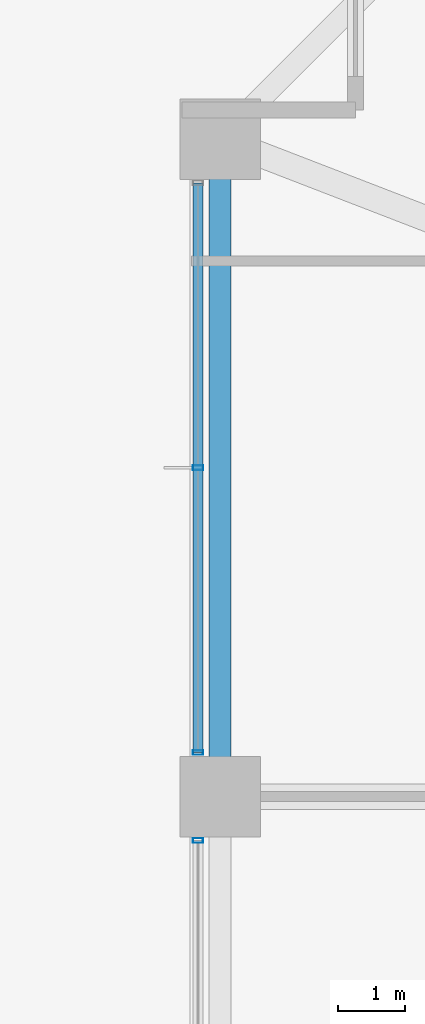
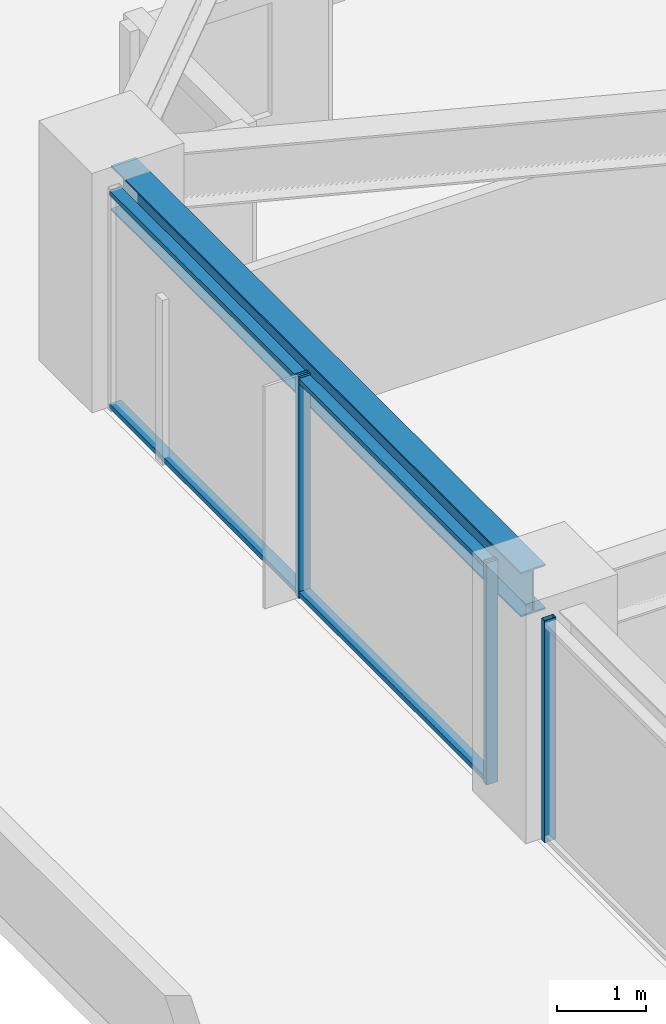
# One storey, part 16 of 36: 5 members, 1 beam, 2 elements without a shape of their own.
"""IFC4 building model written with IfcOpenShell, lengths in metres."""

from ifc_helpers import new_model, si_unit, direction, frame, origin, origin_2d, place, context, subcontext, project, spatial, hollow_rectangle, i_section, extrude, material, material_profile, profile_set, type_object, element, aggregate, save


model = new_model("IFC4")

# Units and contexts
model_context = context("Model", 3, precision=1e-05, world=origin(), true_north=direction((0.0, 1.0)))
body_context = subcontext(model_context, "Body", "Model", "MODEL_VIEW")
ifc_project = project(units=[si_unit("LENGTHUNIT", "METRE"), si_unit("AREAUNIT", "SQUARE_METRE"), si_unit("VOLUMEUNIT", "CUBIC_METRE"), si_unit("PLANEANGLEUNIT", "RADIAN"), si_unit("MASSUNIT", "GRAM", prefix="KILO")], contexts=[model_context])

# Site, building, storey
site_placement = place(None, origin())
site = spatial("IfcSite", under=ifc_project, at=site_placement, CompositionType="ELEMENT")
building_placement = place(site_placement, origin())
building = spatial("IfcBuilding", under=site, at=building_placement, Name="Kolvaren Belvedere", CompositionType="ELEMENT")
storey_placement = place(building_placement, frame((0.0, 0.0, 23.800048828125)))
storey = spatial("IfcBuildingStorey", under=building, at=storey_placement, Name="L06", CompositionType="ELEMENT", Elevation=23.800048828125)

# Beam
ifc_material_1 = material(Name="Structural steel ASTM A992 Grade 50", Category="steel")
ifc_material_profile_1 = material_profile(ifc_material_1, i_section(OverallWidth=0.324951171875, OverallDepth=0.615966796875, WebThickness=0.013916015625, FlangeThickness=0.021484375, FilletRadius=0.02001953125, at=origin_2d()), Name="W24X117")
ifc_profile_set_1 = profile_set([ifc_material_profile_1], Name="Structural steel ASTM A992 Grade 50")
beam_type = type_object("IfcBeamType", Name="BM-SPAN-W24X117", PredefinedType="SPANDREL", material=ifc_profile_set_1)
beam_placement = place(storey_placement, frame((-21.550048828125, 14.1298828125, 2.751953125), z_axis=(0.0, -1.0, 0.0), x_axis=(1.0, 0.0, 0.0)))
element("IfcBeam", 1, at=beam_placement, inside=storey, type_object=beam_type, Name="L06 Perimeter Spandrel W4-W3", PredefinedType="SPANDREL", context=body_context, shape_type="SweptSolid", body=[
    extrude(i_section(OverallWidth=0.324951171875, OverallDepth=0.615966796875, WebThickness=0.013916015625, FlangeThickness=0.021484375, FilletRadius=0.02001953125, at=origin_2d()), origin(), (0.0, 0.0, 1.0), 9.259765625),
])

# Curtain wall, member
ifc_material_2 = material(Name="Anodised pale-metal aluminium AA 6063-T6", Category="aluminium")
curtain_wall_type = type_object("IfcCurtainWallType", Name="CW-Z1-LOW", PredefinedType="NOTDEFINED", material=ifc_material_2)
curtain_wall_1_placement = place(storey_placement, origin())
curtain_wall_1 = element("IfcCurtainWall", 2, at=curtain_wall_1_placement, inside=storey, type_object=curtain_wall_type, Name="L06 Unitised Curtain Wall FCW-L06-W-B2", PredefinedType="NOTDEFINED")
ifc_material_3 = material(Name="Anodised pale-metal aluminium AA 6063-T6", Category="aluminium")
ifc_material_profile_2 = material_profile(ifc_material_3, hollow_rectangle(XDim=0.070068359375, YDim=0.14990234375, WallThickness=0.004150390625, at=origin_2d()), Name="ALU-MUL-150X70")
ifc_profile_set_2 = profile_set([ifc_material_profile_2], Name="Anodised pale-metal aluminium AA 6063-T6")
member_type_1 = type_object("IfcMemberType", Name="CW-MUL-150", PredefinedType="MULLION", material=ifc_profile_set_2)
member_1_placement = place(storey_placement, frame((-21.8798828125, 3.945068359375, 0.0), z_axis=(0.0, 0.0, 1.0), x_axis=(0.0, 1.0, 0.0)))
member_1 = element("IfcMember", 3, at=member_1_placement, type_object=member_type_1, Name="FCW-L06-W-B2 Unitised Mullion 3", PredefinedType="MULLION", context=body_context, shape_type="SweptSolid", body=[
    extrude(hollow_rectangle(XDim=0.070068359375, YDim=0.14990234375, WallThickness=0.004150390625, at=origin_2d()), origin(), (0.0, 0.0, 1.0), 3.06005859375),
])
aggregate(curtain_wall_1, [member_1])

# Curtain wall, members
curtain_wall_2_placement = place(storey_placement, origin())
curtain_wall_2 = element("IfcCurtainWall", 4, at=curtain_wall_2_placement, inside=storey, type_object=curtain_wall_type, Name="L06 Unitised Curtain Wall FCW-L06-W-B3", PredefinedType="NOTDEFINED")
member_2_placement = place(storey_placement, frame((-21.8798828125, 5.2548828125, 0.0), z_axis=(0.0, 0.0, 1.0), x_axis=(0.0, 1.0, 0.0)))
member_2 = element("IfcMember", 5, at=member_2_placement, type_object=member_type_1, Name="FCW-L06-W-B3 Unitised Mullion 1", PredefinedType="MULLION", context=body_context, shape_type="SweptSolid", body=[
    extrude(hollow_rectangle(XDim=0.070068359375, YDim=0.14990234375, WallThickness=0.004150390625, at=origin_2d()), origin(), (0.0, 0.0, 1.0), 3.06005859375),
])
member_3_placement = place(storey_placement, frame((-21.8798828125, 9.5, 0.0), z_axis=(0.0, 0.0, 1.0), x_axis=(0.0, 1.0, 0.0)))
member_3 = element("IfcMember", 6, at=member_3_placement, type_object=member_type_1, Name="FCW-L06-W-B3 Unitised Mullion 2", PredefinedType="MULLION", context=body_context, shape_type="SweptSolid", body=[
    extrude(hollow_rectangle(XDim=0.070068359375, YDim=0.14990234375, WallThickness=0.004150390625, at=origin_2d()), origin(), (0.0, 0.0, 1.0), 3.06005859375),
])
ifc_material_4 = material(Name="Anodised pale-metal aluminium AA 6063-T6", Category="aluminium")
ifc_material_profile_3 = material_profile(ifc_material_4, hollow_rectangle(XDim=0.06494140625, YDim=0.14990234375, WallThickness=0.00390625, at=origin_2d()), Name="ALU-TRN-150X65")
ifc_profile_set_3 = profile_set([ifc_material_profile_3], Name="Anodised pale-metal aluminium AA 6063-T6")
member_type_2 = type_object("IfcMemberType", Name="CW-TRN-150", PredefinedType="USERDEFINED", material=ifc_profile_set_3)
member_4_placement = place(storey_placement, frame((-21.8798828125, 5.2548828125, 0.06005859375), z_axis=(0.0, 1.0, 0.0), x_axis=(0.0, 0.0, 1.0)))
member_4 = element("IfcMember", 7, at=member_4_placement, type_object=member_type_2, Name="FCW-L06-W-B3 Sill Transom", ObjectType="TRANSOM", PredefinedType="USERDEFINED", context=body_context, shape_type="SweptSolid", body=[
    extrude(hollow_rectangle(XDim=0.06494140625, YDim=0.14990234375, WallThickness=0.00390625, at=origin_2d()), origin(), (0.0, 0.0, 1.0), 8.490234375),
])
member_5_placement = place(storey_placement, frame((-21.8798828125, 5.2548828125, 3.0), z_axis=(0.0, 1.0, 0.0), x_axis=(0.0, 0.0, 1.0)))
member_5 = element("IfcMember", 8, at=member_5_placement, type_object=member_type_2, Name="FCW-L06-W-B3 Head Transom", ObjectType="TRANSOM", PredefinedType="USERDEFINED", context=body_context, shape_type="SweptSolid", body=[
    extrude(hollow_rectangle(XDim=0.06494140625, YDim=0.14990234375, WallThickness=0.00390625, at=origin_2d()), origin(), (0.0, 0.0, 1.0), 8.490234375),
])
aggregate(curtain_wall_2, [member_2, member_3, member_4, member_5])

save(model, "model.ifc")
